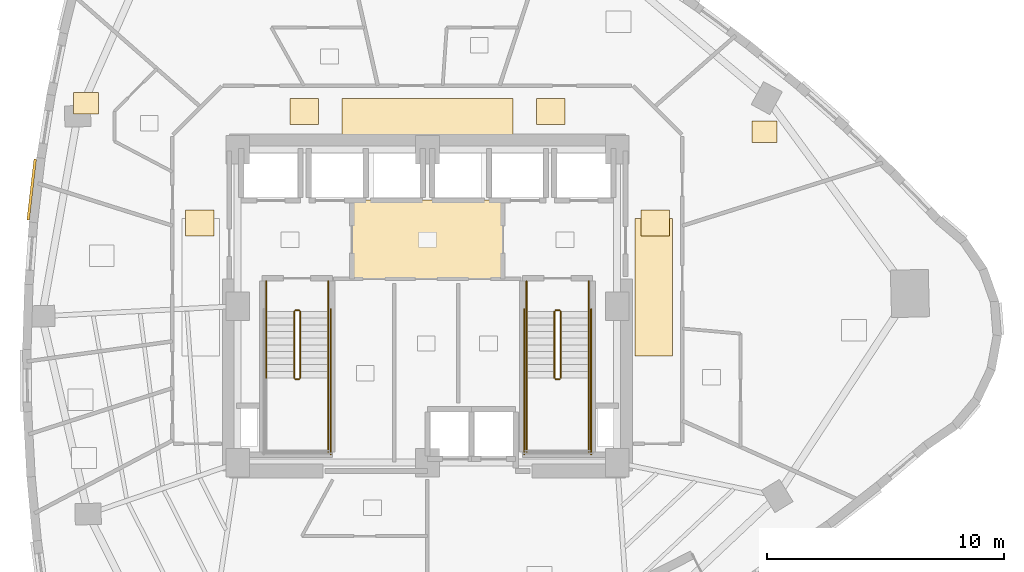
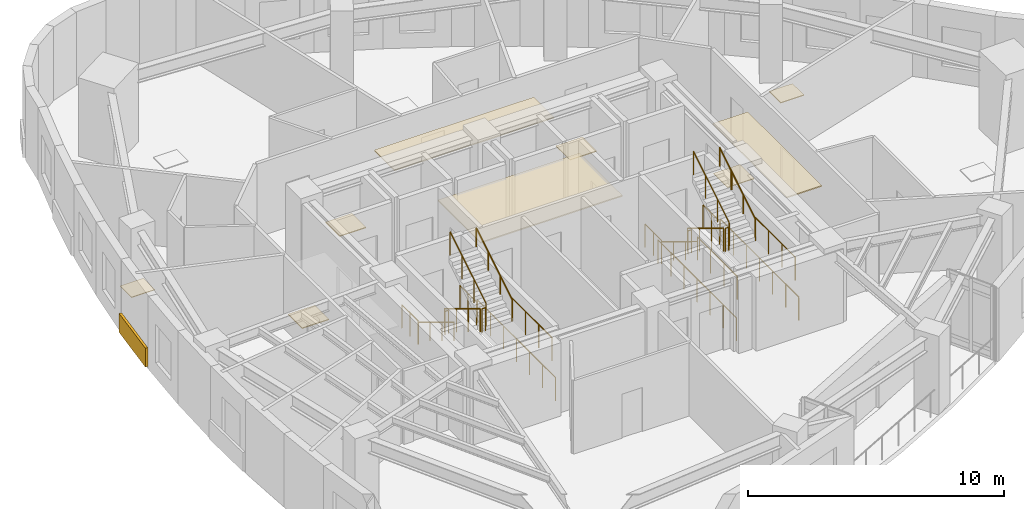
# One storey, part 10 of 11: 22 railings, 10 coverings.
"""IFC4 building model written with IfcOpenShell, lengths in metres."""

from ifc_helpers import new_model, si_unit, direction, frame, origin, origin_2d, place, context, subcontext, project, spatial, rectangle, circle, extrude, material, layer, layer_set, type_object, element, save


model = new_model("IFC4")

# Units and contexts
model_context = context("Model", 3, precision=1e-05, world=origin(), true_north=direction((0.0, 1.0)))
body_context = subcontext(model_context, "Body", "Model", "MODEL_VIEW")
ifc_project = project(units=[si_unit("LENGTHUNIT", "METRE"), si_unit("AREAUNIT", "SQUARE_METRE"), si_unit("VOLUMEUNIT", "CUBIC_METRE"), si_unit("PLANEANGLEUNIT", "RADIAN"), si_unit("MASSUNIT", "GRAM", prefix="KILO")], contexts=[model_context])

# Site, building, storey
site_placement = place(None, origin())
site = spatial("IfcSite", under=ifc_project, at=site_placement, CompositionType="ELEMENT")
building_placement = place(site_placement, origin())
building = spatial("IfcBuilding", under=site, at=building_placement, Name="Ndelora Gate Hotel", CompositionType="ELEMENT")
storey_placement = place(building_placement, frame((0.0, 0.0, 108.5)))
storey = spatial("IfcBuildingStorey", under=building, at=storey_placement, Name="L26", CompositionType="ELEMENT", Elevation=108.5)

# Coverings
ifc_material_1 = material(Name="Perforated Acoustic Gypsum Board", Category="gypsum")
ifc_layer_1 = layer(ifc_material_1, 0.054931640625)
ifc_layer_set_1 = layer_set([ifc_layer_1], Name="Perforated Acoustic Gypsum Board")
covering_type_1 = type_object("IfcCoveringType", Name="COV-CEIL-AC60", PredefinedType="CEILING", material=ifc_layer_set_1)
covering_1_placement = place(storey_placement, frame((0.0, 2.800048828125, 2.72265625), z_axis=(0.0, 0.0, 1.0), x_axis=(1.0, 0.0, 0.0)))
element("IfcCovering", 1, at=covering_1_placement, inside=storey, type_object=covering_type_1, Name="L26 Lift Lobby Acoustic Ceiling", PredefinedType="CEILING", context=body_context, shape_type="SweptSolid", body=[
    extrude(rectangle(XDim=6.39990234375, YDim=3.340087890625, at=origin_2d()), origin(), (0.0, 0.0, 1.0), 0.054931640625),
])
covering_2_placement = place(storey_placement, frame((0.0, 7.9599609375, 2.65234375), z_axis=(0.0, 0.0, 1.0), x_axis=(1.0, 0.0, 0.0)))
element("IfcCovering", 2, at=covering_2_placement, inside=storey, type_object=covering_type_1, Name="L26 Guest Corridor Acoustic Ceiling N", PredefinedType="CEILING", context=body_context, shape_type="SweptSolid", body=[
    extrude(rectangle(XDim=7.199951171875, YDim=1.580078125, at=origin_2d()), origin(), (0.0, 0.0, 1.0), 0.054931640625),
])
covering_3_placement = place(storey_placement, frame((9.550048828125, 0.800048828125, 2.65234375), z_axis=(0.0, 0.0, 1.0), x_axis=(1.0, 0.0, 0.0)))
element("IfcCovering", 3, at=covering_3_placement, inside=storey, type_object=covering_type_1, Name="L26 Guest Corridor Acoustic Ceiling E", PredefinedType="CEILING", context=body_context, shape_type="SweptSolid", body=[
    extrude(rectangle(XDim=1.580078125, YDim=5.800048828125, at=origin_2d()), origin(), (0.0, 0.0, 1.0), 0.054931640625),
])
ifc_material_2 = material(Name="Terracotta Fired Clay Brick Slip Cladding", Category="masonry")
ifc_layer_2 = layer(ifc_material_2, 0.110107421875)
ifc_layer_set_2 = layer_set([ifc_layer_2], Name="Terracotta Fired Clay Brick Slip Cladding")
covering_type_2 = type_object("IfcCoveringType", Name="COV-CLAD-BRK", PredefinedType="CLADDING", material=ifc_layer_set_2)
covering_4_placement = place(storey_placement, frame((-16.6865234375, 4.913330078125, 0.10009765625), z_axis=(0.0, 0.0, 1.0), x_axis=(0.115803987891, 0.993272085779, 0.0)))
element("IfcCovering", 4, at=covering_4_placement, inside=storey, type_object=covering_type_2, Name="L26 Rounded-Corner Brick Cladding Band 13", PredefinedType="CLADDING", context=body_context, shape_type="SweptSolid", body=[
    extrude(rectangle(XDim=2.583984375, YDim=0.110107421875, at=origin_2d()), origin(), (0.0, 0.0, 1.0), 0.89990234375),
])
ifc_material_3 = material(Name="Engineered Highland Oak Parquet", Category="wood")
ifc_layer_3 = layer(ifc_material_3, 0.030029296875)
ifc_layer_set_3 = layer_set([ifc_layer_3], Name="Engineered Highland Oak Parquet")
covering_type_3 = type_object("IfcCoveringType", Name="COV-FLR-PARQ", PredefinedType="FLOORING", material=ifc_layer_set_3)
for number, where, z_axis, x_axis, name in (
    (5, (14.206787109375, 7.356689453125, 0.0), (0.0, 0.0, 1.0), (1.0, 0.0, 0.0), "L26 Executive Study Office Oak Parquet Flooring"),
    (6, (-14.39990234375, 8.55810546875, 0.0), (0.0, 0.0, 1.0), (1.0, 0.0, 0.0), "L26 Club Twin Guest Room 2905 Oak Parquet Flooring"),
):
    element("IfcCovering", number, at=place(storey_placement, frame(where, z_axis=z_axis, x_axis=x_axis)), inside=storey, type_object=covering_type_3, Name=name, PredefinedType="FLOORING", context=body_context, shape_type="SweptSolid", body=[
        extrude(rectangle(XDim=1.050048828125, YDim=0.89990234375, at=origin_2d()), origin(), (0.0, 0.0, 1.0), 0.030029296875),
    ])
ifc_material_4 = material(Name="Polished Highland Stone Terrazzo", Category="masonry")
ifc_layer_4 = layer(ifc_material_4, 0.034912109375)
ifc_layer_set_4 = layer_set([ifc_layer_4], Name="Polished Highland Stone Terrazzo")
covering_type_4 = type_object("IfcCoveringType", Name="COV-FLR-TERZ", PredefinedType="FLOORING", material=ifc_layer_set_4)
for number, where, z_axis, x_axis, name in (
    (7, (-5.199951171875, 8.199951171875, 0.0), (0.0, 0.0, 1.0), (1.0, 0.0, 0.0), "L26 Corridor Threshold Terrazzo Inlay NW"),
    (8, (5.199951171875, 8.199951171875, 0.0), (0.0, 0.0, 1.0), (1.0, 0.0, 0.0), "L26 Corridor Threshold Terrazzo Inlay NE"),
    (9, (-9.60009765625, 3.5, 0.0), (0.0, 0.0, 1.0), (1.0, 0.0, 0.0), "L26 Corridor Threshold Terrazzo Inlay W"),
    (10, (9.60009765625, 3.5, 0.0), (0.0, 0.0, 1.0), (1.0, 0.0, 0.0), "L26 Corridor Threshold Terrazzo Inlay E"),
):
    element("IfcCovering", number, at=place(storey_placement, frame(where, z_axis=z_axis, x_axis=x_axis)), inside=storey, type_object=covering_type_4, Name=name, PredefinedType="FLOORING", context=body_context, shape_type="SweptSolid", body=[
        extrude(rectangle(XDim=1.199951171875, YDim=1.10009765625, at=origin_2d()), origin(), (0.0, 0.0, 1.0), 0.034912109375),
    ])

# Railings
ifc_material_5 = material(Name="Painted Galvanized Steel Balustrade", Category="steel")
ifc_layer_5 = layer(ifc_material_5, 0.06005859375)
ifc_layer_set_5 = layer_set([ifc_layer_5], Name="Painted Galvanized Steel Balustrade")
railing_type_1 = type_object("IfcRailingType", Name="RL-STAIR-GD", PredefinedType="GUARDRAIL", material=ifc_layer_set_5)
railing_1_placement = place(storey_placement, frame((-5.6201171875, -0.22998046875, 0.17041015625)))
element("IfcRailing", 11, at=railing_1_placement, inside=storey, type_object=railing_type_1, Name="L26 ST4 stair guard 1", PredefinedType="GUARDRAIL", context=body_context, shape_type="SweptSolid", body=[
    extrude(circle(Radius=0.02392578125, at=origin_2d()), frame((0.0, 0.0, 1.10595703125), z_axis=(0.0, -0.854169791009, 0.51999420009), x_axis=(1.0, 0.0, 0.0)), (0.0, 0.0, 1.0), 3.278076171875),
    extrude(circle(Radius=0.02099609375, at=origin_2d()), origin(), (0.0, 0.0, 1.0), 1.081787109375),
    extrude(circle(Radius=0.02099609375, at=origin_2d()), frame((0.0, -0.933349609375, 0.568115234375)), (0.0, 0.0, 1.0), 1.081787109375),
    extrude(circle(Radius=0.02099609375, at=origin_2d()), frame((0.0, -1.86669921875, 1.136474609375)), (0.0, 0.0, 1.0), 1.081787109375),
    extrude(circle(Radius=0.02099609375, at=origin_2d()), frame((0.0, -2.800048828125, 1.70458984375)), (0.0, 0.0, 1.0), 1.081787109375),
])
railing_2_placement = place(storey_placement, frame((-5.570068359375, -3.080078125, 1.875)))
element("IfcRailing", 12, at=railing_2_placement, inside=storey, type_object=railing_type_1, Name="L26 ST4 stair guard 2", PredefinedType="GUARDRAIL", context=body_context, shape_type="SweptSolid", body=[
    extrude(circle(Radius=0.02392578125, at=origin_2d()), frame((0.0, 0.0, 1.10595703125), z_axis=(1.0, 0.0, 0.0), x_axis=(0.0, 1.0, 0.0)), (0.0, 0.0, 1.0), 0.16015625),
    extrude(circle(Radius=0.02099609375, at=origin_2d()), origin(), (0.0, 0.0, 1.0), 1.081787109375),
    extrude(circle(Radius=0.02099609375, at=origin_2d()), frame((0.16015625, 0.0, 0.0)), (0.0, 0.0, 1.0), 1.081787109375),
])
railing_3_placement = place(storey_placement, frame((-4.179931640625, -3.030029296875, 1.875)))
element("IfcRailing", 13, at=railing_3_placement, inside=storey, type_object=railing_type_1, Name="L26 ST4 stair guard 4", PredefinedType="GUARDRAIL", context=body_context, shape_type="SweptSolid", body=[
    extrude(circle(Radius=0.02392578125, at=origin_2d()), frame((0.0, 0.0, 1.10595703125), z_axis=(0.0, -1.0, 0.0), x_axis=(1.0, 0.0, 0.0)), (0.0, 0.0, 1.0), 3.119873046875),
    extrude(circle(Radius=0.02099609375, at=origin_2d()), origin(), (0.0, 0.0, 1.0), 1.081787109375),
    extrude(circle(Radius=0.02099609375, at=origin_2d()), frame((0.0, -1.0400390625, 0.0)), (0.0, 0.0, 1.0), 1.081787109375),
    extrude(circle(Radius=0.02099609375, at=origin_2d()), frame((0.0, -2.079833984375, 0.0)), (0.0, 0.0, 1.0), 1.081787109375),
    extrude(circle(Radius=0.02099609375, at=origin_2d()), frame((0.0, -3.119873046875, 0.0)), (0.0, 0.0, 1.0), 1.081787109375),
])
railing_4_placement = place(storey_placement, frame((-5.360107421875, -3.030029296875, 2.04541015625)))
element("IfcRailing", 14, at=railing_4_placement, inside=storey, type_object=railing_type_1, Name="L26 ST4 stair guard 6", PredefinedType="GUARDRAIL", context=body_context, shape_type="SweptSolid", body=[
    extrude(circle(Radius=0.02392578125, at=origin_2d()), frame((0.0, 0.0, 1.10595703125), z_axis=(0.0, 0.854169791009, 0.51999420009), x_axis=(-1.0, 0.0, 0.0)), (0.0, 0.0, 1.0), 3.278076171875),
    extrude(circle(Radius=0.02099609375, at=origin_2d()), origin(), (0.0, 0.0, 1.0), 1.081787109375),
    extrude(circle(Radius=0.02099609375, at=origin_2d()), frame((0.0, 0.933349609375, 0.568115234375)), (0.0, 0.0, 1.0), 1.081787109375),
    extrude(circle(Radius=0.02099609375, at=origin_2d()), frame((0.0, 1.86669921875, 1.136474609375)), (0.0, 0.0, 1.0), 1.081787109375),
    extrude(circle(Radius=0.02099609375, at=origin_2d()), frame((0.0, 2.800048828125, 1.70458984375)), (0.0, 0.0, 1.0), 1.081787109375),
])
railing_5_placement = place(storey_placement, frame((-5.570068359375, -0.179931640625, 0.0)))
element("IfcRailing", 15, at=railing_5_placement, inside=storey, type_object=railing_type_1, Name="L26 ST4 stair guard 7", PredefinedType="GUARDRAIL", context=body_context, shape_type="SweptSolid", body=[
    extrude(circle(Radius=0.02392578125, at=origin_2d()), frame((0.0, 0.0, 1.10595703125), z_axis=(1.0, 0.0, 0.0), x_axis=(0.0, 1.0, 0.0)), (0.0, 0.0, 1.0), 0.16015625),
    extrude(circle(Radius=0.02099609375, at=origin_2d()), origin(), (0.0, 0.0, 1.0), 1.081787109375),
    extrude(circle(Radius=0.02099609375, at=origin_2d()), frame((0.16015625, 0.0, 0.0)), (0.0, 0.0, 1.0), 1.081787109375),
])
for number, where, name in (
    (16, (-6.800048828125, 1.050048828125, 0.0), "L26 ST4 stair guard 8"),
    (17, (-4.179931640625, 1.050048828125, 0.0), "L26 ST4 stair guard 9"),
):
    element("IfcRailing", number, at=place(storey_placement, frame(where)), inside=storey, type_object=railing_type_1, Name=name, PredefinedType="GUARDRAIL", context=body_context, shape_type="SweptSolid", body=[
        extrude(circle(Radius=0.02392578125, at=origin_2d()), frame((0.0, 0.0, 1.10595703125), z_axis=(0.0, -1.0, 0.0), x_axis=(1.0, 0.0, 0.0)), (0.0, 0.0, 1.0), 1.280029296875),
        extrude(circle(Radius=0.02099609375, at=origin_2d()), origin(), (0.0, 0.0, 1.0), 1.081787109375),
        extrude(circle(Radius=0.02099609375, at=origin_2d()), frame((0.0, -0.64013671875, 0.0)), (0.0, 0.0, 1.0), 1.081787109375),
        extrude(circle(Radius=0.02099609375, at=origin_2d()), frame((0.0, -1.280029296875, 0.0)), (0.0, 0.0, 1.0), 1.081787109375),
    ])
railing_6_placement = place(storey_placement, frame((-4.080078125, -0.1298828125, 0.0)))
element("IfcRailing", 18, at=railing_6_placement, inside=storey, type_object=railing_type_1, Name="L26 ST4 stair guard 11", PredefinedType="GUARDRAIL", context=body_context, shape_type="SweptSolid", body=[
    extrude(circle(Radius=0.02392578125, at=origin_2d()), frame((0.0, 0.0, 1.10595703125), z_axis=(0.0, -1.0, 0.0), x_axis=(1.0, 0.0, 0.0)), (0.0, 0.0, 1.0), 6.1201171875),
    extrude(circle(Radius=0.02099609375, at=origin_2d()), origin(), (0.0, 0.0, 1.0), 1.081787109375),
    extrude(circle(Radius=0.02099609375, at=origin_2d()), frame((0.0, -1.02001953125, 0.0)), (0.0, 0.0, 1.0), 1.081787109375),
    extrude(circle(Radius=0.02099609375, at=origin_2d()), frame((0.0, -2.0400390625, 0.0)), (0.0, 0.0, 1.0), 1.081787109375),
    extrude(circle(Radius=0.02099609375, at=origin_2d()), frame((0.0, -3.06005859375, 0.0)), (0.0, 0.0, 1.0), 1.081787109375),
    extrude(circle(Radius=0.02099609375, at=origin_2d()), frame((0.0, -4.080078125, 0.0)), (0.0, 0.0, 1.0), 1.081787109375),
    extrude(circle(Radius=0.02099609375, at=origin_2d()), frame((0.0, -5.10009765625, 0.0)), (0.0, 0.0, 1.0), 1.081787109375),
    extrude(circle(Radius=0.02099609375, at=origin_2d()), frame((0.0, -6.1201171875, 0.0)), (0.0, 0.0, 1.0), 1.081787109375),
])
railing_7_placement = place(storey_placement, frame((5.360107421875, -0.22998046875, 0.17041015625)))
element("IfcRailing", 19, at=railing_7_placement, inside=storey, type_object=railing_type_1, Name="L26 ST5 stair guard 1", PredefinedType="GUARDRAIL", context=body_context, shape_type="SweptSolid", body=[
    extrude(circle(Radius=0.02392578125, at=origin_2d()), frame((0.0, 0.0, 1.10595703125), z_axis=(0.0, -0.854169791009, 0.51999420009), x_axis=(1.0, 0.0, 0.0)), (0.0, 0.0, 1.0), 3.278076171875),
    extrude(circle(Radius=0.02099609375, at=origin_2d()), origin(), (0.0, 0.0, 1.0), 1.081787109375),
    extrude(circle(Radius=0.02099609375, at=origin_2d()), frame((0.0, -0.933349609375, 0.568115234375)), (0.0, 0.0, 1.0), 1.081787109375),
    extrude(circle(Radius=0.02099609375, at=origin_2d()), frame((0.0, -1.86669921875, 1.136474609375)), (0.0, 0.0, 1.0), 1.081787109375),
    extrude(circle(Radius=0.02099609375, at=origin_2d()), frame((0.0, -2.800048828125, 1.70458984375)), (0.0, 0.0, 1.0), 1.081787109375),
])
railing_8_placement = place(storey_placement, frame((5.409912109375, -3.080078125, 1.875)))
element("IfcRailing", 20, at=railing_8_placement, inside=storey, type_object=railing_type_1, Name="L26 ST5 stair guard 2", PredefinedType="GUARDRAIL", context=body_context, shape_type="SweptSolid", body=[
    extrude(circle(Radius=0.02392578125, at=origin_2d()), frame((0.0, 0.0, 1.10595703125), z_axis=(1.0, 0.0, 0.0), x_axis=(0.0, 1.0, 0.0)), (0.0, 0.0, 1.0), 0.16015625),
    extrude(circle(Radius=0.02099609375, at=origin_2d()), origin(), (0.0, 0.0, 1.0), 1.081787109375),
    extrude(circle(Radius=0.02099609375, at=origin_2d()), frame((0.16015625, 0.0, 0.0)), (0.0, 0.0, 1.0), 1.081787109375),
])
for number, where, name in (
    (21, (4.179931640625, -3.030029296875, 1.875), "L26 ST5 stair guard 3"),
    (22, (6.800048828125, -3.030029296875, 1.875), "L26 ST5 stair guard 4"),
):
    element("IfcRailing", number, at=place(storey_placement, frame(where)), inside=storey, type_object=railing_type_1, Name=name, PredefinedType="GUARDRAIL", context=body_context, shape_type="SweptSolid", body=[
        extrude(circle(Radius=0.02392578125, at=origin_2d()), frame((0.0, 0.0, 1.10595703125), z_axis=(0.0, -1.0, 0.0), x_axis=(1.0, 0.0, 0.0)), (0.0, 0.0, 1.0), 3.119873046875),
        extrude(circle(Radius=0.02099609375, at=origin_2d()), origin(), (0.0, 0.0, 1.0), 1.081787109375),
        extrude(circle(Radius=0.02099609375, at=origin_2d()), frame((0.0, -1.0400390625, 0.0)), (0.0, 0.0, 1.0), 1.081787109375),
        extrude(circle(Radius=0.02099609375, at=origin_2d()), frame((0.0, -2.079833984375, 0.0)), (0.0, 0.0, 1.0), 1.081787109375),
        extrude(circle(Radius=0.02099609375, at=origin_2d()), frame((0.0, -3.119873046875, 0.0)), (0.0, 0.0, 1.0), 1.081787109375),
    ])
railing_9_placement = place(storey_placement, frame((5.6201171875, -3.030029296875, 2.04541015625)))
element("IfcRailing", 23, at=railing_9_placement, inside=storey, type_object=railing_type_1, Name="L26 ST5 stair guard 6", PredefinedType="GUARDRAIL", context=body_context, shape_type="SweptSolid", body=[
    extrude(circle(Radius=0.02392578125, at=origin_2d()), frame((0.0, 0.0, 1.10595703125), z_axis=(0.0, 0.854169791009, 0.51999420009), x_axis=(-1.0, 0.0, 0.0)), (0.0, 0.0, 1.0), 3.278076171875),
    extrude(circle(Radius=0.02099609375, at=origin_2d()), origin(), (0.0, 0.0, 1.0), 1.081787109375),
    extrude(circle(Radius=0.02099609375, at=origin_2d()), frame((0.0, 0.933349609375, 0.568115234375)), (0.0, 0.0, 1.0), 1.081787109375),
    extrude(circle(Radius=0.02099609375, at=origin_2d()), frame((0.0, 1.86669921875, 1.136474609375)), (0.0, 0.0, 1.0), 1.081787109375),
    extrude(circle(Radius=0.02099609375, at=origin_2d()), frame((0.0, 2.800048828125, 1.70458984375)), (0.0, 0.0, 1.0), 1.081787109375),
])
railing_10_placement = place(storey_placement, frame((5.409912109375, -0.179931640625, 0.0)))
element("IfcRailing", 24, at=railing_10_placement, inside=storey, type_object=railing_type_1, Name="L26 ST5 stair guard 7", PredefinedType="GUARDRAIL", context=body_context, shape_type="SweptSolid", body=[
    extrude(circle(Radius=0.02392578125, at=origin_2d()), frame((0.0, 0.0, 1.10595703125), z_axis=(1.0, 0.0, 0.0), x_axis=(0.0, 1.0, 0.0)), (0.0, 0.0, 1.0), 0.16015625),
    extrude(circle(Radius=0.02099609375, at=origin_2d()), origin(), (0.0, 0.0, 1.0), 1.081787109375),
    extrude(circle(Radius=0.02099609375, at=origin_2d()), frame((0.16015625, 0.0, 0.0)), (0.0, 0.0, 1.0), 1.081787109375),
])
for number, where, name in (
    (25, (4.179931640625, 1.050048828125, 0.0), "L26 ST5 stair guard 8"),
    (26, (6.800048828125, 1.050048828125, 0.0), "L26 ST5 stair guard 9"),
):
    element("IfcRailing", number, at=place(storey_placement, frame(where)), inside=storey, type_object=railing_type_1, Name=name, PredefinedType="GUARDRAIL", context=body_context, shape_type="SweptSolid", body=[
        extrude(circle(Radius=0.02392578125, at=origin_2d()), frame((0.0, 0.0, 1.10595703125), z_axis=(0.0, -1.0, 0.0), x_axis=(1.0, 0.0, 0.0)), (0.0, 0.0, 1.0), 1.280029296875),
        extrude(circle(Radius=0.02099609375, at=origin_2d()), origin(), (0.0, 0.0, 1.0), 1.081787109375),
        extrude(circle(Radius=0.02099609375, at=origin_2d()), frame((0.0, -0.64013671875, 0.0)), (0.0, 0.0, 1.0), 1.081787109375),
        extrude(circle(Radius=0.02099609375, at=origin_2d()), frame((0.0, -1.280029296875, 0.0)), (0.0, 0.0, 1.0), 1.081787109375),
    ])
for number, where, name in (
    (27, (4.080078125, -0.1298828125, 0.0), "L26 ST5 stair guard 10"),
    (28, (6.89990234375, -0.1298828125, 0.0), "L26 ST5 stair guard 11"),
):
    element("IfcRailing", number, at=place(storey_placement, frame(where)), inside=storey, type_object=railing_type_1, Name=name, PredefinedType="GUARDRAIL", context=body_context, shape_type="SweptSolid", body=[
        extrude(circle(Radius=0.02392578125, at=origin_2d()), frame((0.0, 0.0, 1.10595703125), z_axis=(0.0, -1.0, 0.0), x_axis=(1.0, 0.0, 0.0)), (0.0, 0.0, 1.0), 6.1201171875),
        extrude(circle(Radius=0.02099609375, at=origin_2d()), origin(), (0.0, 0.0, 1.0), 1.081787109375),
        extrude(circle(Radius=0.02099609375, at=origin_2d()), frame((0.0, -1.02001953125, 0.0)), (0.0, 0.0, 1.0), 1.081787109375),
        extrude(circle(Radius=0.02099609375, at=origin_2d()), frame((0.0, -2.0400390625, 0.0)), (0.0, 0.0, 1.0), 1.081787109375),
        extrude(circle(Radius=0.02099609375, at=origin_2d()), frame((0.0, -3.06005859375, 0.0)), (0.0, 0.0, 1.0), 1.081787109375),
        extrude(circle(Radius=0.02099609375, at=origin_2d()), frame((0.0, -4.080078125, 0.0)), (0.0, 0.0, 1.0), 1.081787109375),
        extrude(circle(Radius=0.02099609375, at=origin_2d()), frame((0.0, -5.10009765625, 0.0)), (0.0, 0.0, 1.0), 1.081787109375),
        extrude(circle(Radius=0.02099609375, at=origin_2d()), frame((0.0, -6.1201171875, 0.0)), (0.0, 0.0, 1.0), 1.081787109375),
    ])
ifc_material_6 = material(Name="Brushed Stainless Steel 316", Category="steel")
ifc_layer_6 = layer(ifc_material_6, 0.050048828125)
ifc_layer_set_6 = layer_set([ifc_layer_6], Name="Brushed Stainless Steel 316")
railing_type_2 = type_object("IfcRailingType", Name="RL-STAIR-HR", PredefinedType="HANDRAIL", material=ifc_layer_set_6)
railing_11_placement = place(storey_placement, frame((-6.800048828125, -0.22998046875, 0.17041015625)))
element("IfcRailing", 29, at=railing_11_placement, inside=storey, type_object=railing_type_2, Name="L26 ST4 stair handrail 1", PredefinedType="HANDRAIL", context=body_context, shape_type="SweptSolid", body=[
    extrude(circle(Radius=0.02392578125, at=origin_2d()), frame((0.0, 0.0, 0.8759765625), z_axis=(0.0, -0.854169791009, 0.51999420009), x_axis=(1.0, 0.0, 0.0)), (0.0, 0.0, 1.0), 3.278076171875),
    extrude(circle(Radius=0.02099609375, at=origin_2d()), origin(), (0.0, 0.0, 1.0), 0.851806640625),
    extrude(circle(Radius=0.02099609375, at=origin_2d()), frame((0.0, -0.933349609375, 0.568115234375)), (0.0, 0.0, 1.0), 0.851806640625),
    extrude(circle(Radius=0.02099609375, at=origin_2d()), frame((0.0, -1.86669921875, 1.136474609375)), (0.0, 0.0, 1.0), 0.851806640625),
    extrude(circle(Radius=0.02099609375, at=origin_2d()), frame((0.0, -2.800048828125, 1.70458984375)), (0.0, 0.0, 1.0), 0.851806640625),
])
railing_12_placement = place(storey_placement, frame((-4.179931640625, -3.030029296875, 2.04541015625)))
element("IfcRailing", 30, at=railing_12_placement, inside=storey, type_object=railing_type_2, Name="L26 ST4 stair handrail 2", PredefinedType="HANDRAIL", context=body_context, shape_type="SweptSolid", body=[
    extrude(circle(Radius=0.02392578125, at=origin_2d()), frame((0.0, 0.0, 0.8759765625), z_axis=(0.0, 0.854169791009, 0.51999420009), x_axis=(-1.0, 0.0, 0.0)), (0.0, 0.0, 1.0), 3.278076171875),
    extrude(circle(Radius=0.02099609375, at=origin_2d()), origin(), (0.0, 0.0, 1.0), 0.851806640625),
    extrude(circle(Radius=0.02099609375, at=origin_2d()), frame((0.0, 0.933349609375, 0.568115234375)), (0.0, 0.0, 1.0), 0.851806640625),
    extrude(circle(Radius=0.02099609375, at=origin_2d()), frame((0.0, 1.86669921875, 1.136474609375)), (0.0, 0.0, 1.0), 0.851806640625),
    extrude(circle(Radius=0.02099609375, at=origin_2d()), frame((0.0, 2.800048828125, 1.70458984375)), (0.0, 0.0, 1.0), 0.851806640625),
])
railing_13_placement = place(storey_placement, frame((4.179931640625, -0.22998046875, 0.17041015625)))
element("IfcRailing", 31, at=railing_13_placement, inside=storey, type_object=railing_type_2, Name="L26 ST5 stair handrail 1", PredefinedType="HANDRAIL", context=body_context, shape_type="SweptSolid", body=[
    extrude(circle(Radius=0.02392578125, at=origin_2d()), frame((0.0, 0.0, 0.8759765625), z_axis=(0.0, -0.854169791009, 0.51999420009), x_axis=(1.0, 0.0, 0.0)), (0.0, 0.0, 1.0), 3.278076171875),
    extrude(circle(Radius=0.02099609375, at=origin_2d()), origin(), (0.0, 0.0, 1.0), 0.851806640625),
    extrude(circle(Radius=0.02099609375, at=origin_2d()), frame((0.0, -0.933349609375, 0.568115234375)), (0.0, 0.0, 1.0), 0.851806640625),
    extrude(circle(Radius=0.02099609375, at=origin_2d()), frame((0.0, -1.86669921875, 1.136474609375)), (0.0, 0.0, 1.0), 0.851806640625),
    extrude(circle(Radius=0.02099609375, at=origin_2d()), frame((0.0, -2.800048828125, 1.70458984375)), (0.0, 0.0, 1.0), 0.851806640625),
])
railing_14_placement = place(storey_placement, frame((6.800048828125, -3.030029296875, 2.04541015625)))
element("IfcRailing", 32, at=railing_14_placement, inside=storey, type_object=railing_type_2, Name="L26 ST5 stair handrail 2", PredefinedType="HANDRAIL", context=body_context, shape_type="SweptSolid", body=[
    extrude(circle(Radius=0.02392578125, at=origin_2d()), frame((0.0, 0.0, 0.8759765625), z_axis=(0.0, 0.854169791009, 0.51999420009), x_axis=(-1.0, 0.0, 0.0)), (0.0, 0.0, 1.0), 3.278076171875),
    extrude(circle(Radius=0.02099609375, at=origin_2d()), origin(), (0.0, 0.0, 1.0), 0.851806640625),
    extrude(circle(Radius=0.02099609375, at=origin_2d()), frame((0.0, 0.933349609375, 0.568115234375)), (0.0, 0.0, 1.0), 0.851806640625),
    extrude(circle(Radius=0.02099609375, at=origin_2d()), frame((0.0, 1.86669921875, 1.136474609375)), (0.0, 0.0, 1.0), 0.851806640625),
    extrude(circle(Radius=0.02099609375, at=origin_2d()), frame((0.0, 2.800048828125, 1.70458984375)), (0.0, 0.0, 1.0), 0.851806640625),
])

save(model, "model.ifc")
